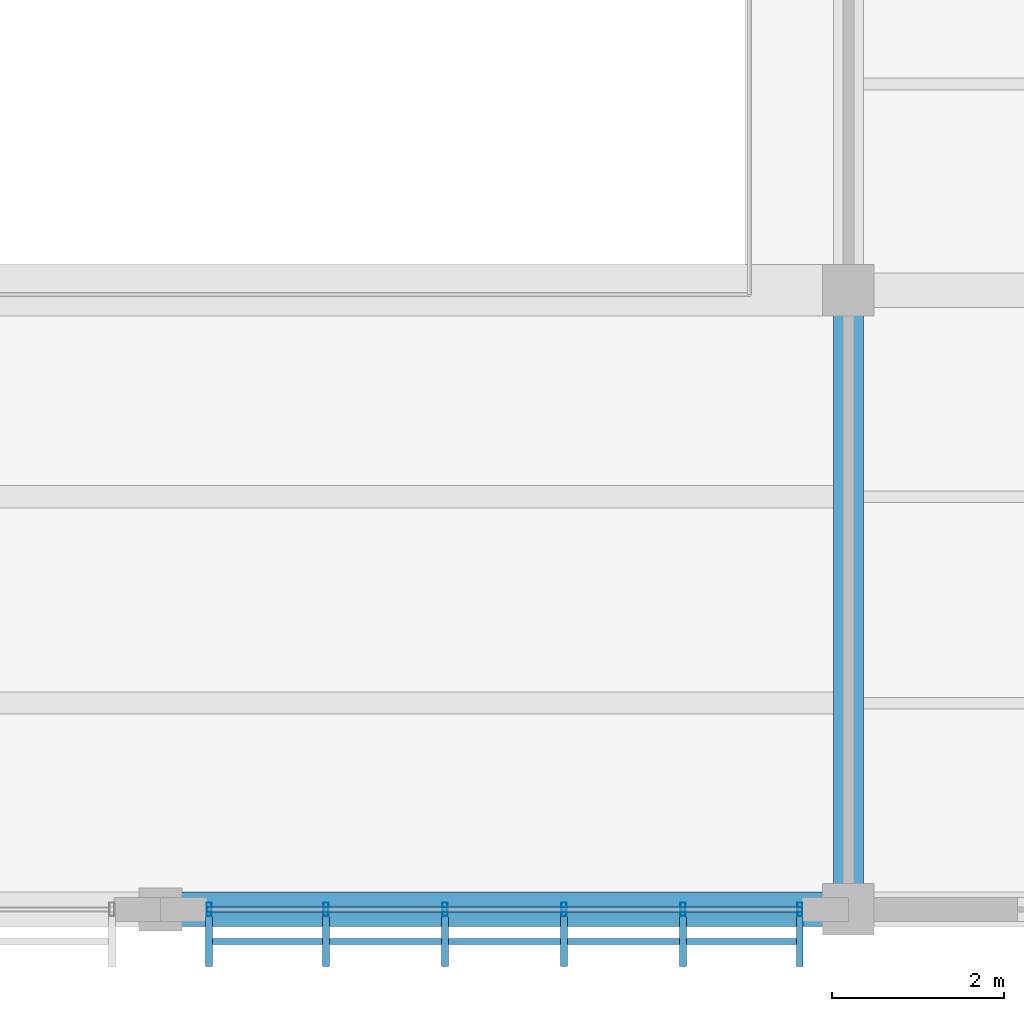
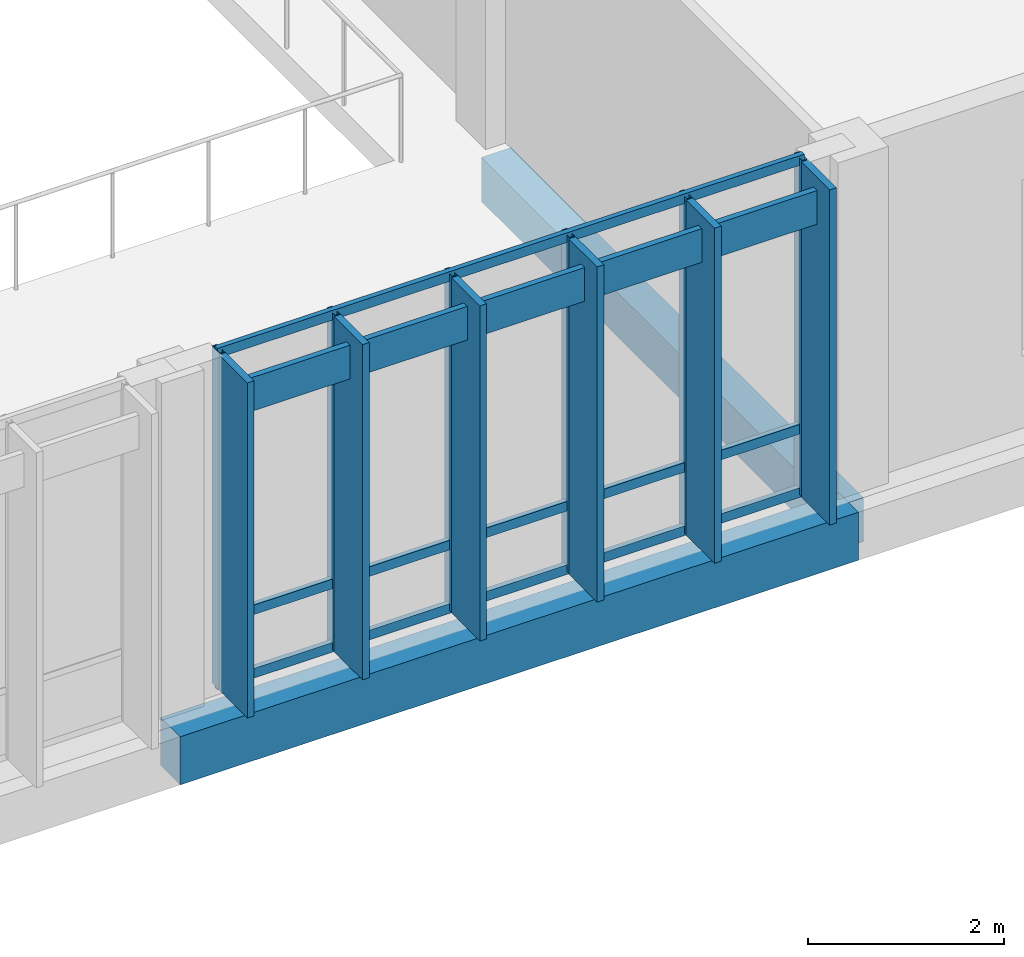
# One storey, part 17 of 182: 16 members, 2 beams, 1 element without a shape of its own.
"""IFC4 building model written with IfcOpenShell, lengths in metres."""

from ifc_helpers import new_model, si_unit, direction, frame, origin, origin_2d, place, context, subcontext, project, spatial, rectangle, hollow_rectangle, extrude, material, material_profile, profile_set, type_object, element, aggregate, save


model = new_model("IFC4")

# Units and contexts
model_context = context("Model", 3, precision=1e-05, world=origin(), true_north=direction((0.0, 1.0)))
body_context = subcontext(model_context, "Body", "Model", "MODEL_VIEW")
ifc_project = project(units=[si_unit("LENGTHUNIT", "METRE"), si_unit("AREAUNIT", "SQUARE_METRE"), si_unit("VOLUMEUNIT", "CUBIC_METRE"), si_unit("PLANEANGLEUNIT", "RADIAN"), si_unit("MASSUNIT", "GRAM", prefix="KILO")], contexts=[model_context])

# Site, building, storey
site_placement = place(None, origin())
site = spatial("IfcSite", under=ifc_project, at=site_placement, CompositionType="ELEMENT")
building_placement = place(site_placement, origin())
building = spatial("IfcBuilding", under=site, at=building_placement, Name="Chiffa Square Polytechnic", CompositionType="ELEMENT")
storey_placement = place(building_placement, frame((0.0, 0.0, 9.60009765625)))
storey = spatial("IfcBuildingStorey", under=building, at=storey_placement, Name="L02", CompositionType="ELEMENT", Elevation=9.60009765625)

# Beams
ifc_material_1 = material(Name="Concrete C35/45", Category="concrete")
ifc_material_profile_1 = material_profile(ifc_material_1, rectangle(XDim=0.35009765625, YDim=0.550048828125, at=origin_2d()), Name="RC 350x550")
ifc_profile_set_1 = profile_set([ifc_material_profile_1], Name="Concrete C35/45")
beam_type_1 = type_object("IfcBeamType", Name="BM-RC-350X550", PredefinedType="BEAM", material=ifc_profile_set_1)
beam_1_placement = place(storey_placement, frame((24.0, 0.0, -0.59521484375), z_axis=(0.0, 1.0, 0.0), x_axis=(-1.0, 0.0, 0.0)))
element("IfcBeam", 1, at=beam_1_placement, inside=storey, type_object=beam_type_1, Name="Primary floor girder BM-V3-L02-Y-0240-0000", PredefinedType="BEAM", context=body_context, shape_type="SweptSolid", body=[
    extrude(rectangle(XDim=0.35009765625, YDim=0.550048828125, at=origin_2d()), origin(), (0.0, 0.0, 1.0), 7.199951171875),
])
ifc_material_profile_2 = material_profile(ifc_material_1, rectangle(XDim=0.39990234375, YDim=0.60009765625, at=origin_2d()), Name="RC 400x600")
ifc_profile_set_2 = profile_set([ifc_material_profile_2], Name="Concrete C35/45")
beam_type_2 = type_object("IfcBeamType", Name="BM-RC-400X600", PredefinedType="BEAM", material=ifc_profile_set_2)
beam_2_placement = place(storey_placement, frame((16.0, 0.0, -0.6201171875), z_axis=(1.0, 0.0, 0.0), x_axis=(0.0, 1.0, 0.0)))
element("IfcBeam", 2, at=beam_2_placement, inside=storey, type_object=beam_type_2, Name="Primary floor girder BM-V3-L02-X-0160-0000", PredefinedType="BEAM", context=body_context, shape_type="SweptSolid", body=[
    extrude(rectangle(XDim=0.39990234375, YDim=0.60009765625, at=origin_2d()), origin(), (0.0, 0.0, 1.0), 8.0),
])

# Curtain wall, members
ifc_material_2 = material(Name="Aluminium EN AW-6060 T66 and glulam shading", Category="wood")
curtain_wall_type = type_object("IfcCurtainWallType", Name="CW-VERT-540X440", PredefinedType="USERDEFINED", material=ifc_material_2)
curtain_wall_placement = place(storey_placement, origin())
curtain_wall = element("IfcCurtainWall", 3, at=curtain_wall_placement, inside=storey, type_object=curtain_wall_type, Name="Curtain wall CW-V3-L02-167", ObjectType="CURTAIN WALL", PredefinedType="USERDEFINED")
ifc_material_3 = material(Name="Aluminium EN AW-6060 T66", Category="aluminium")
ifc_material_profile_3 = material_profile(ifc_material_3, hollow_rectangle(XDim=0.06005859375, YDim=0.159912109375, WallThickness=0.00390625, at=origin_2d()), Name="ALU 60x160x4")
ifc_profile_set_3 = profile_set([ifc_material_profile_3], Name="Aluminium EN AW-6060 T66")
member_type_1 = type_object("IfcMemberType", Name="CWM-ALU-65X150", PredefinedType="MULLION", material=ifc_profile_set_3)
member_1_placement = place(storey_placement, frame((16.56494140625, 0.0, 0.0), z_axis=(0.0, 0.0, 1.0), x_axis=(1.0, 0.0, 0.0)))
member_1 = element("IfcMember", 4, at=member_1_placement, type_object=member_type_1, Name="Curtain wall mullion CW-V3-L02-167-M00", PredefinedType="MULLION", context=body_context, shape_type="SweptSolid", body=[
    extrude(hollow_rectangle(XDim=0.06005859375, YDim=0.159912109375, WallThickness=0.00390625, at=origin_2d()), origin(), (0.0, 0.0, 1.0), 4.199951171875),
])
member_2_placement = place(storey_placement, frame((17.924072265625, 0.0, 0.0), z_axis=(0.0, 0.0, 1.0), x_axis=(1.0, 0.0, 0.0)))
member_2 = element("IfcMember", 5, at=member_2_placement, type_object=member_type_1, Name="Curtain wall mullion CW-V3-L02-167-M01", PredefinedType="MULLION", context=body_context, shape_type="SweptSolid", body=[
    extrude(hollow_rectangle(XDim=0.06005859375, YDim=0.159912109375, WallThickness=0.00390625, at=origin_2d()), origin(), (0.0, 0.0, 1.0), 4.199951171875),
])
member_3_placement = place(storey_placement, frame((19.30810546875, 0.0, 0.0), z_axis=(0.0, 0.0, 1.0), x_axis=(1.0, 0.0, 0.0)))
member_3 = element("IfcMember", 6, at=member_3_placement, type_object=member_type_1, Name="Curtain wall mullion CW-V3-L02-167-M02", PredefinedType="MULLION", context=body_context, shape_type="SweptSolid", body=[
    extrude(hollow_rectangle(XDim=0.06005859375, YDim=0.159912109375, WallThickness=0.00390625, at=origin_2d()), origin(), (0.0, 0.0, 1.0), 4.199951171875),
])
member_4_placement = place(storey_placement, frame((20.69189453125, 0.0, 0.0), z_axis=(0.0, 0.0, 1.0), x_axis=(1.0, 0.0, 0.0)))
member_4 = element("IfcMember", 7, at=member_4_placement, type_object=member_type_1, Name="Curtain wall mullion CW-V3-L02-167-M03", PredefinedType="MULLION", context=body_context, shape_type="SweptSolid", body=[
    extrude(hollow_rectangle(XDim=0.06005859375, YDim=0.159912109375, WallThickness=0.00390625, at=origin_2d()), origin(), (0.0, 0.0, 1.0), 4.199951171875),
])
member_5_placement = place(storey_placement, frame((22.075927734375, 0.0, 0.0), z_axis=(0.0, 0.0, 1.0), x_axis=(1.0, 0.0, 0.0)))
member_5 = element("IfcMember", 8, at=member_5_placement, type_object=member_type_1, Name="Curtain wall mullion CW-V3-L02-167-M04", PredefinedType="MULLION", context=body_context, shape_type="SweptSolid", body=[
    extrude(hollow_rectangle(XDim=0.06005859375, YDim=0.159912109375, WallThickness=0.00390625, at=origin_2d()), origin(), (0.0, 0.0, 1.0), 4.199951171875),
])
member_6_placement = place(storey_placement, frame((23.43505859375, 0.0, 0.0), z_axis=(0.0, 0.0, 1.0), x_axis=(1.0, 0.0, 0.0)))
member_6 = element("IfcMember", 9, at=member_6_placement, type_object=member_type_1, Name="Curtain wall mullion CW-V3-L02-167-M05", PredefinedType="MULLION", context=body_context, shape_type="SweptSolid", body=[
    extrude(hollow_rectangle(XDim=0.06005859375, YDim=0.159912109375, WallThickness=0.00390625, at=origin_2d()), origin(), (0.0, 0.0, 1.0), 4.199951171875),
])
ifc_material_4 = material(Name="Glulam GL28h", Category="wood")
ifc_material_profile_4 = material_profile(ifc_material_4, rectangle(XDim=0.080078125, YDim=0.580078125, at=origin_2d()), Name="GL28h 80x580")
ifc_profile_set_4 = profile_set([ifc_material_profile_4], Name="Glulam GL28h")
member_type_2 = type_object("IfcMemberType", Name="CWM-GL-80X580", PredefinedType="MULLION", material=ifc_profile_set_4)
member_7_placement = place(storey_placement, frame((16.56494140625, -0.3720703125, 0.010009765625), z_axis=(0.0, 0.0, 1.0), x_axis=(1.0, 0.0, 0.0)))
member_7 = element("IfcMember", 10, at=member_7_placement, type_object=member_type_2, Name="Exterior glulam solar fin CW-V3-L02-167-FN00", PredefinedType="MULLION", context=body_context, shape_type="SweptSolid", body=[
    extrude(rectangle(XDim=0.080078125, YDim=0.580078125, at=origin_2d()), origin(), (0.0, 0.0, 1.0), 4.179931640625),
])
member_8_placement = place(storey_placement, frame((17.924072265625, -0.3720703125, 0.010009765625), z_axis=(0.0, 0.0, 1.0), x_axis=(1.0, 0.0, 0.0)))
member_8 = element("IfcMember", 11, at=member_8_placement, type_object=member_type_2, Name="Exterior glulam solar fin CW-V3-L02-167-FN01", PredefinedType="MULLION", context=body_context, shape_type="SweptSolid", body=[
    extrude(rectangle(XDim=0.080078125, YDim=0.580078125, at=origin_2d()), origin(), (0.0, 0.0, 1.0), 4.179931640625),
])
member_9_placement = place(storey_placement, frame((19.30810546875, -0.3720703125, 0.010009765625), z_axis=(0.0, 0.0, 1.0), x_axis=(1.0, 0.0, 0.0)))
member_9 = element("IfcMember", 12, at=member_9_placement, type_object=member_type_2, Name="Exterior glulam solar fin CW-V3-L02-167-FN02", PredefinedType="MULLION", context=body_context, shape_type="SweptSolid", body=[
    extrude(rectangle(XDim=0.080078125, YDim=0.580078125, at=origin_2d()), origin(), (0.0, 0.0, 1.0), 4.179931640625),
])
member_10_placement = place(storey_placement, frame((20.69189453125, -0.3720703125, 0.010009765625), z_axis=(0.0, 0.0, 1.0), x_axis=(1.0, 0.0, 0.0)))
member_10 = element("IfcMember", 13, at=member_10_placement, type_object=member_type_2, Name="Exterior glulam solar fin CW-V3-L02-167-FN03", PredefinedType="MULLION", context=body_context, shape_type="SweptSolid", body=[
    extrude(rectangle(XDim=0.080078125, YDim=0.580078125, at=origin_2d()), origin(), (0.0, 0.0, 1.0), 4.179931640625),
])
member_11_placement = place(storey_placement, frame((22.075927734375, -0.3720703125, 0.010009765625), z_axis=(0.0, 0.0, 1.0), x_axis=(1.0, 0.0, 0.0)))
member_11 = element("IfcMember", 14, at=member_11_placement, type_object=member_type_2, Name="Exterior glulam solar fin CW-V3-L02-167-FN04", PredefinedType="MULLION", context=body_context, shape_type="SweptSolid", body=[
    extrude(rectangle(XDim=0.080078125, YDim=0.580078125, at=origin_2d()), origin(), (0.0, 0.0, 1.0), 4.179931640625),
])
member_12_placement = place(storey_placement, frame((23.43505859375, -0.3720703125, 0.010009765625), z_axis=(0.0, 0.0, 1.0), x_axis=(1.0, 0.0, 0.0)))
member_12 = element("IfcMember", 15, at=member_12_placement, type_object=member_type_2, Name="Exterior glulam solar fin CW-V3-L02-167-FN05", PredefinedType="MULLION", context=body_context, shape_type="SweptSolid", body=[
    extrude(rectangle(XDim=0.080078125, YDim=0.580078125, at=origin_2d()), origin(), (0.0, 0.0, 1.0), 4.179931640625),
])
ifc_material_profile_5 = material_profile(ifc_material_3, hollow_rectangle(XDim=0.06005859375, YDim=0.1201171875, WallThickness=0.00390625, at=origin_2d()), Name="ALU 60x120x4")
ifc_profile_set_5 = profile_set([ifc_material_profile_5], Name="Aluminium EN AW-6060 T66")
member_type_3 = type_object("IfcMemberType", Name="CWT-ALU-65X120", PredefinedType="USERDEFINED", material=ifc_profile_set_5)
member_13_placement = place(storey_placement, frame((16.5380859375, 0.0, 0.02978515625), z_axis=(1.0, 0.0, 0.0), x_axis=(0.0, 1.0, 0.0)))
member_13 = element("IfcMember", 16, at=member_13_placement, type_object=member_type_3, Name="Curtain wall transom CW-V3-L02-167-T01", ObjectType="TRANSOM", PredefinedType="USERDEFINED", context=body_context, shape_type="SweptSolid", body=[
    extrude(hollow_rectangle(XDim=0.06005859375, YDim=0.1201171875, WallThickness=0.00390625, at=origin_2d()), origin(), (0.0, 0.0, 1.0), 6.923828125),
])
member_14_placement = place(storey_placement, frame((16.5380859375, 0.0, 0.81982421875), z_axis=(1.0, 0.0, 0.0), x_axis=(0.0, 1.0, 0.0)))
member_14 = element("IfcMember", 17, at=member_14_placement, type_object=member_type_3, Name="Curtain wall transom CW-V3-L02-167-T02", ObjectType="TRANSOM", PredefinedType="USERDEFINED", context=body_context, shape_type="SweptSolid", body=[
    extrude(hollow_rectangle(XDim=0.06005859375, YDim=0.1201171875, WallThickness=0.00390625, at=origin_2d()), origin(), (0.0, 0.0, 1.0), 6.923828125),
])
member_15_placement = place(storey_placement, frame((16.5380859375, 0.0, 4.169921875), z_axis=(1.0, 0.0, 0.0), x_axis=(0.0, 1.0, 0.0)))
member_15 = element("IfcMember", 18, at=member_15_placement, type_object=member_type_3, Name="Curtain wall transom CW-V3-L02-167-T03", ObjectType="TRANSOM", PredefinedType="USERDEFINED", context=body_context, shape_type="SweptSolid", body=[
    extrude(hollow_rectangle(XDim=0.06005859375, YDim=0.1201171875, WallThickness=0.00390625, at=origin_2d()), origin(), (0.0, 0.0, 1.0), 6.923828125),
])
ifc_material_profile_6 = material_profile(ifc_material_4, rectangle(XDim=0.070068359375, YDim=0.419921875, at=origin_2d()), Name="GL28h 70x420")
ifc_profile_set_6 = profile_set([ifc_material_profile_6], Name="Glulam GL28h")
member_type_4 = type_object("IfcMemberType", Name="CWT-GL-70X420", PredefinedType="USERDEFINED", material=ifc_profile_set_6)
member_16_placement = place(storey_placement, frame((16.56494140625, -0.3720703125, 3.81982421875), z_axis=(1.0, 0.0, 0.0), x_axis=(0.0, 1.0, 0.0)))
member_16 = element("IfcMember", 19, at=member_16_placement, type_object=member_type_4, Name="Exterior glulam brise-soleil CW-V3-L02-167-BS01", ObjectType="TRANSOM", PredefinedType="USERDEFINED", context=body_context, shape_type="SweptSolid", body=[
    extrude(rectangle(XDim=0.070068359375, YDim=0.419921875, at=origin_2d()), origin(), (0.0, 0.0, 1.0), 6.8701171875),
])
aggregate(curtain_wall, [member_1, member_7, member_2, member_8, member_3, member_9, member_4, member_10, member_5, member_11, member_6, member_12, member_13, member_14, member_15, member_16])

save(model, "model.ifc")
